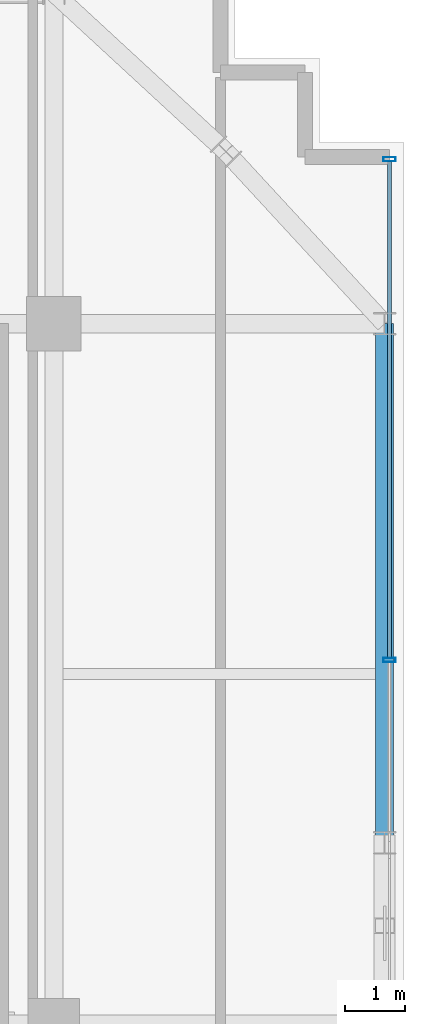
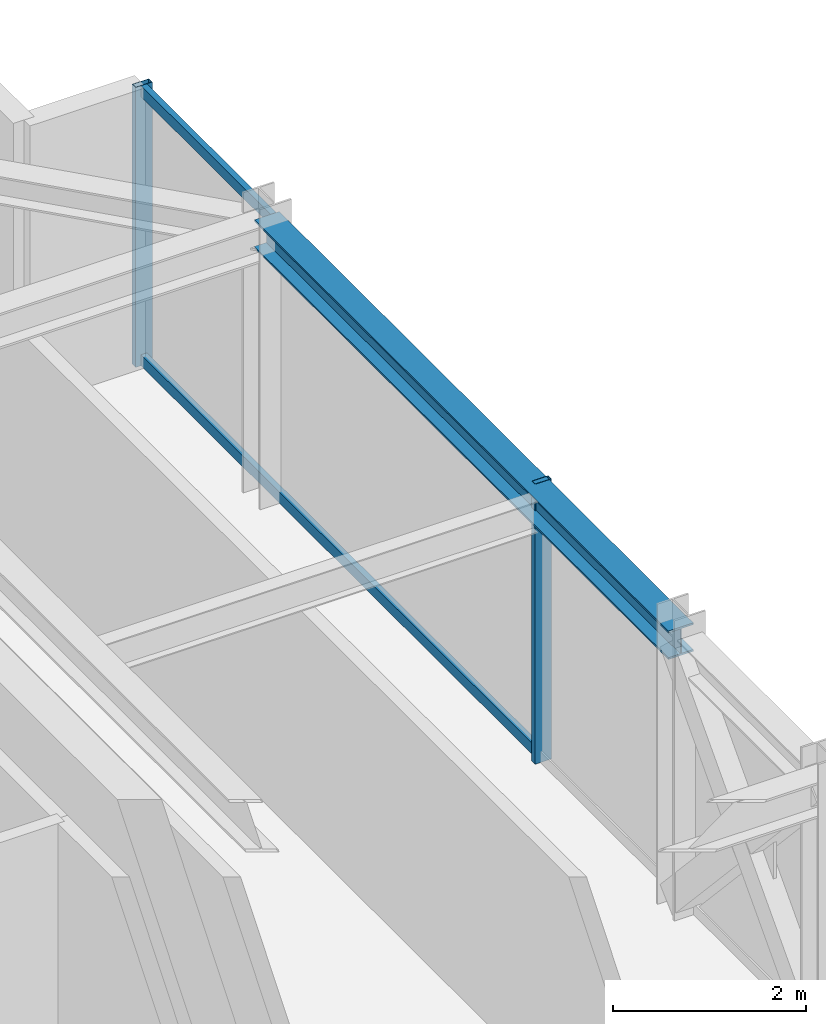
# One storey, part 27 of 37: 4 members, 1 beam, 1 element without a shape of its own.
"""IFC4 building model written with IfcOpenShell, lengths in metres."""

import ifcopenshell
import ifcopenshell.guid

model = None  # the IFC model being written
_history = None  # IfcOwnerHistory: only IFC2X3 demands one
_inside = {}  # id of a spatial element -> (the spatial element, [elements in it])
_under = {}  # id of a project, library or spatial element -> (it, [spatial elements below it])
_declared = {}  # id of a project -> (the project, [libraries it declares])
_typed = {}  # id of a type object -> (the type object, [elements of that type])
_made_of = {}  # id of a material, layer set ... -> (it, [elements and type objects made of it])


def new_model(schema):
    """Start an empty IFC model of exactly this schema.

    Asked for "IFC4X3", IfcOpenShell would pick the latest addendum, in which some entities
    have other attributes; the version numbers below select the first issue.
    IFC2X3 requires an IfcOwnerHistory on every rooted entity: one is made here for all.
    """
    global model, _history
    if schema == "IFC4X3":
        model = ifcopenshell.file(schema_version=(4, 3, 0, 0))
    else:
        model = ifcopenshell.file(schema=schema)
    _inside.clear()
    _under.clear()
    _declared.clear()
    _typed.clear()
    _made_of.clear()
    _history = None
    if model.schema == "IFC2X3":
        org = make("IfcOrganization", Name="unknown")
        user = make(
            "IfcPersonAndOrganization",
            ThePerson=make("IfcPerson", FamilyName="unknown"),
            TheOrganization=org,
        )
        app = make(
            "IfcApplication",
            ApplicationDeveloper=org,
            Version="unknown",
            ApplicationFullName="unknown",
            ApplicationIdentifier="unknown",
        )
        _history = make(
            "IfcOwnerHistory",
            OwningUser=user,
            OwningApplication=app,
            ChangeAction="ADDED",
            CreationDate=0,
        )
    return model


def make(cls, **values):
    """One entity of the class cls with the attributes given. An attribute that is None is left unset."""
    return model.create_entity(
        cls, **{name: value for name, value in values.items() if value is not None}
    )


def rooted(cls, **values):
    """An entity with a GlobalId (a new one), such as an element, a storey or a relation."""
    return make(cls, GlobalId=ifcopenshell.guid.new(), OwnerHistory=_history, **values)


def si_unit(unit_type, name, prefix=None):
    """IfcSIUnit, for example si_unit("LENGTHUNIT", "METRE", prefix="MILLI")."""
    return make("IfcSIUnit", UnitType=unit_type, Prefix=prefix, Name=name)


def assignment(units):
    """IfcUnitAssignment: the units of a project."""
    return None if units is None else make("IfcUnitAssignment", Units=units)


def point(xyz):
    """IfcCartesianPoint."""
    return None if xyz is None else make("IfcCartesianPoint", Coordinates=xyz)


def direction(xyz):
    """IfcDirection."""
    return None if xyz is None else make("IfcDirection", DirectionRatios=xyz)


def frame(location, z_axis=None, x_axis=None):
    """IfcAxis2Placement3D, a coordinate frame: its origin and axes. An axis left out is left unset."""
    return make(
        "IfcAxis2Placement3D",
        Location=point(location),
        Axis=direction(z_axis),
        RefDirection=direction(x_axis),
    )


def frame_2d(location, x_axis=None):
    """IfcAxis2Placement2D, a coordinate frame in the plane: its origin and x axis."""
    return make(
        "IfcAxis2Placement2D", Location=point(location), RefDirection=direction(x_axis)
    )


def origin():
    """The frame at (0, 0, 0) with its axes left unset."""
    return frame((0.0, 0.0, 0.0))


def origin_2d():
    """The frame at (0, 0) in the plane with its x axis left unset."""
    return frame_2d((0.0, 0.0))


def place(relative_to, where):
    """IfcLocalPlacement: puts the frame where relative to a parent placement (None: the world)."""
    return make(
        "IfcLocalPlacement", PlacementRelTo=relative_to, RelativePlacement=where
    )


def context(
    kind, dimensions, precision=None, world=None, true_north=None, identifier=None
):
    """IfcGeometricRepresentationContext, for example the 3D "Model" context."""
    return make(
        "IfcGeometricRepresentationContext",
        ContextIdentifier=identifier,
        ContextType=kind,
        CoordinateSpaceDimension=dimensions,
        Precision=precision,
        WorldCoordinateSystem=world,
        TrueNorth=true_north,
    )


def subcontext(parent, identifier, kind, view, scale=None):
    """IfcGeometricRepresentationSubContext, for example "Body" below "Model"."""
    return make(
        "IfcGeometricRepresentationSubContext",
        ContextIdentifier=identifier,
        ContextType=kind,
        ParentContext=parent,
        TargetScale=scale,
        TargetView=view,
    )


def project(units=None, contexts=None):
    """IfcProject with its units and contexts."""
    return rooted(
        "IfcProject",
        Name="project",
        RepresentationContexts=contexts,
        UnitsInContext=assignment(units),
    )


def spatial(cls, under=None, at=None, **own):
    """A site, building, storey or space (cls), placed at a placement, below another one or the project."""
    s = rooted(cls, ObjectPlacement=at, **own)
    if under is not None:
        _under.setdefault(under.id(), (under, []))[1].append(s)
    return s


def profile(cls, at=None, kind="AREA", **sizes):
    """A parametric profile (cls). Its sizes go by their IFC names, for example OverallWidth=200.0."""
    return make(cls, ProfileType=kind, Position=at, **sizes)


def hollow_rectangle(**sizes):
    """IfcRectangleHollowProfileDef."""
    return profile("IfcRectangleHollowProfileDef", **sizes)


def i_section(**sizes):
    """IfcIShapeProfileDef."""
    return profile("IfcIShapeProfileDef", **sizes)


def extrude(swept, where, along, depth):
    """IfcExtrudedAreaSolid: the profile swept, set in the frame where, extruded along a direction by depth."""
    return make(
        "IfcExtrudedAreaSolid",
        SweptArea=swept,
        Position=where,
        ExtrudedDirection=direction(along),
        Depth=depth,
    )


def shape(context_of_items, identifier, shape_type, items):
    """IfcShapeRepresentation: the items that make up one representation, for example the "Body"."""
    return make(
        "IfcShapeRepresentation",
        ContextOfItems=context_of_items,
        RepresentationIdentifier=identifier,
        RepresentationType=shape_type,
        Items=items,
    )


def source(mapping_origin, context_of_items, identifier, shape_type, items):
    """IfcRepresentationMap: a shape defined once, which mapped items show again and again."""
    return make(
        "IfcRepresentationMap",
        MappingOrigin=mapping_origin,
        MappedRepresentation=shape(context_of_items, identifier, shape_type, items),
    )


def transform(
    local_origin,
    x_axis=None,
    y_axis=None,
    z_axis=None,
    scale=None,
    scale2=None,
    scale3=None,
    uniform=True,
):
    """IfcCartesianTransformationOperator3D, or its non-uniform kind. x_axis, y_axis, z_axis: its Axis1, 2, 3."""
    if uniform:
        return make(
            "IfcCartesianTransformationOperator3D",
            Axis1=direction(x_axis),
            Axis2=direction(y_axis),
            LocalOrigin=point(local_origin),
            Scale=scale,
            Axis3=direction(z_axis),
        )
    return make(
        "IfcCartesianTransformationOperator3DnonUniform",
        Axis1=direction(x_axis),
        Axis2=direction(y_axis),
        LocalOrigin=point(local_origin),
        Scale=scale,
        Axis3=direction(z_axis),
        Scale2=scale2,
        Scale3=scale3,
    )


def mapped(mapping_source, mapping_target):
    """IfcMappedItem: shows the shape of a source again, moved by a transform."""
    return make(
        "IfcMappedItem", MappingSource=mapping_source, MappingTarget=mapping_target
    )


def material(Name=None, Category=None):
    """IfcMaterial."""
    return make("IfcMaterial", Name=Name, Category=Category)


def material_profile(
    of_material, cross_section, Name=None, Category=None, Priority=None
):
    """IfcMaterialProfile: a cross section and its material."""
    return make(
        "IfcMaterialProfile",
        Name=Name,
        Material=of_material,
        Profile=cross_section,
        Priority=Priority,
        Category=Category,
    )


def profile_set(profiles, Name=None, composite=None):
    """IfcMaterialProfileSet."""
    return make(
        "IfcMaterialProfileSet",
        Name=Name,
        MaterialProfiles=profiles,
        CompositeProfile=composite,
    )


def made_of(thing, what):
    """Note that an element or type object is made of a material, layer set ...; save() writes the relation."""
    if what is not None:
        _made_of.setdefault(what.id(), (what, []))[1].append(thing)
    return thing


def type_object(cls, material=None, **own):
    """A type object (cls), such as IfcWallType, which elements share."""
    return made_of(rooted(cls, **own), material)


def element(
    cls,
    number,
    at=None,
    inside=None,
    cuts=None,
    type_object=None,
    material=None,
    context=None,
    identifier="Body",
    shape_type=None,
    held_by="IfcProductDefinitionShape",
    body=None,
    shapes=None,
    **own,
):
    """One element of the class cls, such as IfcWall. Its Tag is "e" and its number.

    at: its placement. inside: the storey or other place that contains it. cuts: it is an
    opening in that element (IfcRelVoidsElement). A single representation is given by context,
    identifier, shape_type and body (its items); several are given by shapes. held_by: the class
    of the entity that holds the representations. save() writes the other relations.
    """
    e = rooted(cls, Tag="e%d" % number, ObjectPlacement=at, **own)
    if body is not None:
        shapes = [shape(context, identifier, shape_type, body)]
    if shapes is not None:
        e.Representation = make(held_by, Representations=shapes)
    if inside is not None:
        _inside.setdefault(inside.id(), (inside, []))[1].append(e)
    if cuts is not None:
        rooted(
            "IfcRelVoidsElement", RelatingBuildingElement=cuts, RelatedOpeningElement=e
        )
    if type_object is not None:
        _typed.setdefault(type_object.id(), (type_object, []))[1].append(e)
    return made_of(e, material)


def aggregate(whole, parts):
    """IfcRelAggregates: a whole, such as a stair, and the parts it consists of."""
    return rooted("IfcRelAggregates", RelatingObject=whole, RelatedObjects=parts)


def save(model, path):
    """Write the relations noted so far, then the file.

    IfcRelAggregates (storeys below a building ...), IfcRelContainedInSpatialStructure (elements
    in a storey), IfcRelDefinesByType, IfcRelAssociatesMaterial and IfcRelDeclares: one each for
    every whole, place, type object, material and project.
    """
    for whole, parts in _under.values():
        aggregate(whole, parts)
    for where, things in _inside.values():
        rooted(
            "IfcRelContainedInSpatialStructure",
            RelatedElements=things,
            RelatingStructure=where,
        )
    for kind, things in _typed.values():
        rooted("IfcRelDefinesByType", RelatedObjects=things, RelatingType=kind)
    for what, things in _made_of.values():
        rooted("IfcRelAssociatesMaterial", RelatedObjects=things, RelatingMaterial=what)
    for by, libraries in _declared.values():
        rooted("IfcRelDeclares", RelatingContext=by, RelatedDefinitions=libraries)
    model.write(path)


model = new_model("IFC4")

# Units and contexts
model_context = context("Model", 3, precision=1e-05, world=origin(), true_north=direction((0.0, 1.0)))
body_context = subcontext(model_context, "Body", "Model", "MODEL_VIEW")
ifc_project = project(units=[si_unit("LENGTHUNIT", "METRE"), si_unit("AREAUNIT", "SQUARE_METRE"), si_unit("VOLUMEUNIT", "CUBIC_METRE"), si_unit("PLANEANGLEUNIT", "RADIAN"), si_unit("MASSUNIT", "GRAM", prefix="KILO")], contexts=[model_context])

# Site, building, storey
site_placement = place(None, origin())
site = spatial("IfcSite", under=ifc_project, at=site_placement, CompositionType="ELEMENT")
building_placement = place(site_placement, origin())
building = spatial("IfcBuilding", under=site, at=building_placement, Name="Nahalor Promenade Grand Hotel", CompositionType="ELEMENT")
storey_placement = place(building_placement, frame((0.0, 0.0, 292.64990234375)))
storey = spatial("IfcBuildingStorey", under=building, at=storey_placement, Name="L75", CompositionType="ELEMENT", Elevation=292.64990234375)

# Beam
ifc_material_1 = material(Name="Steel S355JR", Category="steel")
ifc_material_profile_1 = material_profile(ifc_material_1, i_section(OverallWidth=0.3, OverallDepth=0.36, WebThickness=0.0125, FlangeThickness=0.0225, at=origin_2d()), Name="HEB 360")
ifc_profile_set_1 = profile_set([ifc_material_profile_1], Name="Steel S355JR")
beam_type = type_object("IfcBeamType", Name="Beam-Spandrel-HEB360", PredefinedType="SPANDREL", material=ifc_profile_set_1)
shared_shape_1 = source(origin(), body_context, "Body", "SweptSolid", [
    extrude(i_section(OverallWidth=0.3, OverallDepth=0.36, WebThickness=0.0125, FlangeThickness=0.0225, at=origin_2d()), origin(), (0.0, 0.0, 1.0), 8.60009765625),
])
beam_placement = place(storey_placement, frame((22.47998046875, 8.39990234375, 3.3701171875), z_axis=(0.0, 1.0, 0.0), x_axis=(-1.0, 0.0, 0.0)))
element("IfcBeam", 1, at=beam_placement, inside=storey, type_object=beam_type, Name="BM-L75-SP-E-4", PredefinedType="SPANDREL", context=body_context, shape_type="MappedRepresentation", body=[
    mapped(shared_shape_1, transform((0.0, 0.0, 0.0), scale=1.0)),
])

# Curtain wall, members
ifc_material_2 = material(Name="Anodised Bronze Aluminium EN AW-6063 T6", Category="aluminium")
curtain_wall_type = type_object("IfcCurtainWallType", Name="CW3 Elliptical-Void Collar Unitised Curtain Wall", PredefinedType="USERDEFINED", material=ifc_material_2)
curtain_wall_placement = place(storey_placement, origin())
curtain_wall = element("IfcCurtainWall", 2, at=curtain_wall_placement, inside=storey, type_object=curtain_wall_type, Name="L75 Curtain Wall CW-L75-E-2", ObjectType="UNITISED_CURTAIN_WALL", PredefinedType="USERDEFINED")
ifc_material_profile_2 = material_profile(ifc_material_2, hollow_rectangle(XDim=0.07, YDim=0.14, WallThickness=0.004, at=origin_2d()), Name="CWT 70x140x4")
ifc_profile_set_2 = profile_set([ifc_material_profile_2], Name="Anodised Bronze Aluminium EN AW-6063 T6")
member_type_1 = type_object("IfcMemberType", Name="CWT3 Void Collar Transom 70x140", PredefinedType="USERDEFINED", material=ifc_profile_set_2)
shared_shape_2 = source(origin(), body_context, "Body", "SweptSolid", [
    extrude(hollow_rectangle(XDim=0.07, YDim=0.14, WallThickness=0.004, at=origin_2d()), origin(), (0.0, 0.0, 1.0), 8.224853515625),
])
member_1_placement = place(storey_placement, frame((22.56005859375, 11.465087890625, 0.070068359375), z_axis=(0.0, 1.0, 0.0), x_axis=(-1.0, 0.0, 0.0)))
member_1 = element("IfcMember", 3, at=member_1_placement, type_object=member_type_1, Name="CW-L75-E-2 Transom 1-0", ObjectType="TRANSOM", PredefinedType="USERDEFINED", context=body_context, shape_type="MappedRepresentation", body=[
    mapped(shared_shape_2, transform((0.0, 0.0, 0.0), scale=1.0)),
])
member_2_placement = place(storey_placement, frame((22.56005859375, 11.465087890625, 3.47998046875), z_axis=(0.0, 1.0, 0.0), x_axis=(-1.0, 0.0, 0.0)))
member_2 = element("IfcMember", 4, at=member_2_placement, type_object=member_type_1, Name="CW-L75-E-2 Transom 1-1", ObjectType="TRANSOM", PredefinedType="USERDEFINED", context=body_context, shape_type="MappedRepresentation", body=[
    mapped(shared_shape_2, transform((0.0, 0.0, 0.0), scale=1.0)),
])
ifc_material_profile_3 = material_profile(ifc_material_2, hollow_rectangle(XDim=0.07, YDim=0.2, WallThickness=0.005, at=origin_2d()), Name="CWM 70x200x5")
ifc_profile_set_3 = profile_set([ifc_material_profile_3], Name="Anodised Bronze Aluminium EN AW-6063 T6")
member_type_2 = type_object("IfcMemberType", Name="CWM3 Void Collar Mullion 70x200", PredefinedType="MULLION", material=ifc_profile_set_3)
shared_shape_3 = source(origin(), body_context, "Body", "SweptSolid", [
    extrude(hollow_rectangle(XDim=0.07, YDim=0.2, WallThickness=0.005, at=origin_2d()), origin(), (0.0, 0.0, 1.0), 3.550048828125),
])
member_3_placement = place(storey_placement, frame((22.56005859375, 11.429931640625, 0.0), z_axis=(0.0, 0.0, 1.0), x_axis=(0.0, 1.0, 0.0)))
member_3 = element("IfcMember", 5, at=member_3_placement, type_object=member_type_2, Name="CW-L75-E-2 Mullion 1", PredefinedType="MULLION", context=body_context, shape_type="MappedRepresentation", body=[
    mapped(shared_shape_3, transform((0.0, 0.0, 0.0), scale=1.0)),
])
member_4_placement = place(storey_placement, frame((22.56005859375, 19.72509765625, 0.0), z_axis=(0.0, 0.0, 1.0), x_axis=(0.0, 1.0, 0.0)))
member_4 = element("IfcMember", 6, at=member_4_placement, type_object=member_type_2, Name="CW-L75-E-2 Mullion 2", PredefinedType="MULLION", context=body_context, shape_type="MappedRepresentation", body=[
    mapped(shared_shape_3, transform((0.0, 0.0, 0.0), scale=1.0)),
])
aggregate(curtain_wall, [member_3, member_4, member_1, member_2])

save(model, "model.ifc")
